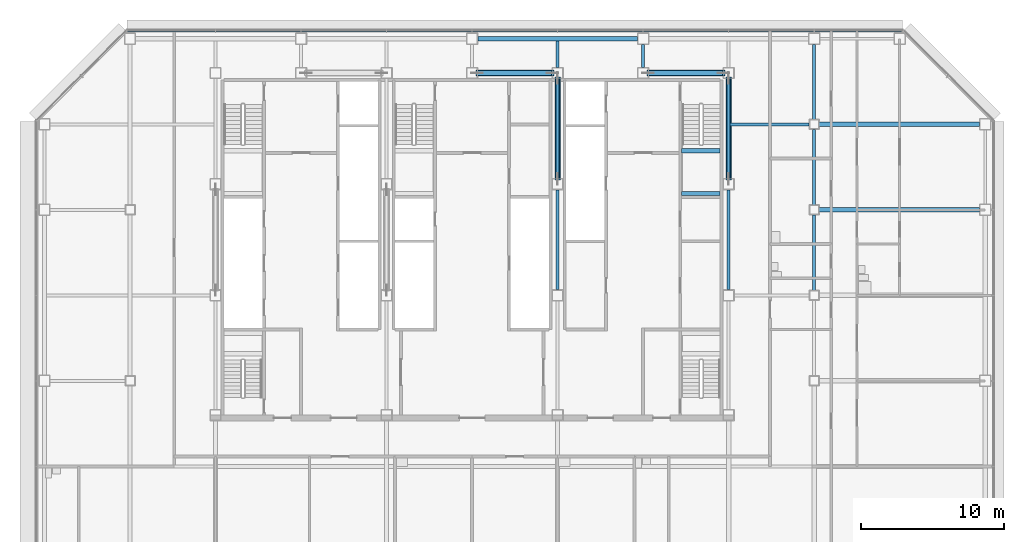
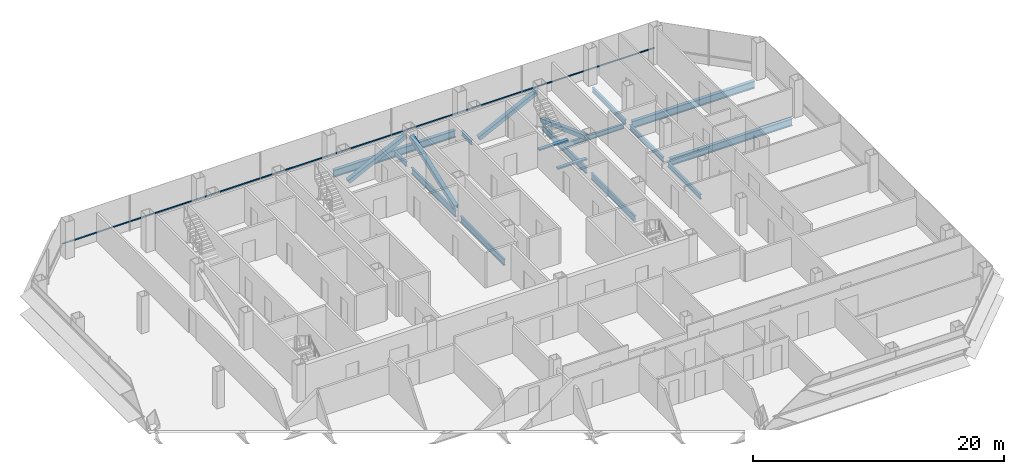
# One storey, part 13 of 25: 15 beams, 5 members, 1 element without a shape of its own.
"""IFC4 building model written with IfcOpenShell, lengths in metres."""

from ifc_helpers import new_model, si_unit, direction, frame, origin, origin_2d, place, context, subcontext, project, spatial, rectangle, hollow_rectangle, i_section, extrude, material, material_profile, profile_set, type_object, element, aggregate, save


model = new_model("IFC4")

# Units and contexts
model_context = context("Model", 3, precision=1e-05, world=origin(), true_north=direction((0.0, 1.0)))
body_context = subcontext(model_context, "Body", "Model", "MODEL_VIEW")
ifc_project = project(units=[si_unit("LENGTHUNIT", "METRE"), si_unit("AREAUNIT", "SQUARE_METRE"), si_unit("VOLUMEUNIT", "CUBIC_METRE"), si_unit("PLANEANGLEUNIT", "RADIAN"), si_unit("MASSUNIT", "GRAM", prefix="KILO")], contexts=[model_context])

# Site, building, storey
site_placement = place(None, origin())
site = spatial("IfcSite", under=ifc_project, at=site_placement, CompositionType="ELEMENT")
building_placement = place(site_placement, origin())
building = spatial("IfcBuilding", under=site, at=building_placement, Name="Sorahane Residences", CompositionType="ELEMENT")
storey_placement = place(building_placement, frame((0.0, 0.0, 126.800048828125)))
storey = spatial("IfcBuildingStorey", under=building, at=storey_placement, Name="L28", CompositionType="ELEMENT", Elevation=126.800048828125)

# Members
ifc_material_1 = material(Name="Steel Q355B", Category="steel")
ifc_material_profile_1 = material_profile(ifc_material_1, hollow_rectangle(XDim=0.39990234375, YDim=0.39990234375, WallThickness=0.02001953125, InnerFilletRadius=0.010009765625, OuterFilletRadius=0.030029296875, at=origin_2d()), Name="RHS 400x400x20")
ifc_profile_set_1 = profile_set([ifc_material_profile_1], Name="Steel Q355B")
member_type_1 = type_object("IfcMemberType", Name="Core brace RHS 400x400x20 Q355B", PredefinedType="BRACE", material=ifc_profile_set_1)
for number, where, z_axis, x_axis, name in (
    (1, (24.346923828125, 45.60009765625, 0.173583984375), (0.896480070819, 0.0, 0.443084058192), (0.0, 1.0, 0.0), "Core brace L28 y45.6-4"),
    (2, (36.346923828125, 45.60009765625, 0.173583984375), (0.896480070819, 0.0, 0.443084058192), (0.0, 1.0, 0.0), "Core brace L28 y45.6-6"),
):
    element("IfcMember", number, at=place(storey_placement, frame(where, z_axis=z_axis, x_axis=x_axis)), inside=storey, type_object=member_type_1, Name=name, PredefinedType="BRACE", context=body_context, shape_type="SweptSolid", body=[
        extrude(hollow_rectangle(XDim=0.39990234375, YDim=0.39990234375, WallThickness=0.02001953125, InnerFilletRadius=0.010009765625, OuterFilletRadius=0.030029296875, at=origin_2d()), origin(), (0.0, 0.0, 1.0), 5.9189453125),
    ])
for number, where, z_axis, x_axis, name in (
    (3, (42.0, 45.241455078125, 0.184814453125), (0.0, -0.938733651637, 0.344643484319), (1.0, 0.0, 0.0), "Core brace L28 x42-3"),
    (4, (30.0, 38.15869140625, 0.184814453125), (0.0, 0.938733651637, 0.344643484319), (-1.0, 0.0, 0.0), "Core brace L28 x30-2"),
):
    element("IfcMember", number, at=place(storey_placement, frame(where, z_axis=z_axis, x_axis=x_axis)), inside=storey, type_object=member_type_1, Name=name, PredefinedType="BRACE", context=body_context, shape_type="SweptSolid", body=[
        extrude(hollow_rectangle(XDim=0.39990234375, YDim=0.39990234375, WallThickness=0.02001953125, InnerFilletRadius=0.010009765625, OuterFilletRadius=0.030029296875, at=origin_2d()), origin(), (0.0, 0.0, 1.0), 7.544921875),
    ])

# Curtain wall, member
ifc_material_2 = material(Name="Dark low-e glass and black anodised aluminium", Category="aluminium")
curtain_wall_type = type_object("IfcCurtainWallType", Name="Curtain wall CW-1 Typical unitised wall", PredefinedType="NOTDEFINED", material=ifc_material_2)
curtain_wall_placement = place(storey_placement, origin())
curtain_wall = element("IfcCurtainWall", 5, at=curtain_wall_placement, inside=storey, type_object=curtain_wall_type, Name="CW-1 curtain wall L28 N1", PredefinedType="NOTDEFINED")
ifc_material_3 = material(Name="Black anodised aluminium", Category="aluminium")
ifc_material_profile_2 = material_profile(ifc_material_3, rectangle(XDim=0.10009765625, YDim=0.06005859375, at=origin_2d()), Name="Curtain wall transom CW-1 black anodised aluminium 60x100")
ifc_profile_set_2 = profile_set([ifc_material_profile_2], Name="Black anodised aluminium")
member_type_2 = type_object("IfcMemberType", Name="Curtain wall transom CW-1 black anodised aluminium 60x100", PredefinedType="USERDEFINED", material=ifc_profile_set_2)
member_placement = place(storey_placement, frame((54.198486328125, 48.530029296875, 0.89990234375), z_axis=(-1.0, 0.0, 0.0), x_axis=(0.0, -1.0, 0.0)))
member = element("IfcMember", 6, at=member_placement, type_object=member_type_2, Name="CW-1 transom L28 N1", ObjectType="TRANSOM", PredefinedType="USERDEFINED", context=body_context, shape_type="SweptSolid", body=[
    extrude(rectangle(XDim=0.10009765625, YDim=0.06005859375, at=origin_2d()), origin(), (0.0, 0.0, 1.0), 54.39697265625),
])
aggregate(curtain_wall, [member])

# Beams
ifc_material_4 = material(Name="Concrete C40", Category="concrete")
ifc_material_profile_3 = material_profile(ifc_material_4, rectangle(XDim=0.300048828125, YDim=0.139892578125, at=origin_2d()), Name="300x140")
ifc_profile_set_3 = profile_set([ifc_material_profile_3], Name="Concrete C40")
beam_type_1 = type_object("IfcBeamType", Name="RC landing beam 300 x 140 Concrete C40", PredefinedType="BEAM", material=ifc_profile_set_3)
for number, where, z_axis, x_axis, name in (
    (7, (38.699951171875, 37.14990234375, 1.530029296875), (1.0, 0.0, 0.0), (0.0, 1.0, 0.0), "Landing beam"),
    (8, (38.699951171875, 40.14990234375, 1.530029296875), (1.0, 0.0, 0.0), (0.0, 1.0, 0.0), "Landing beam"),
):
    element("IfcBeam", number, at=place(storey_placement, frame(where, z_axis=z_axis, x_axis=x_axis)), inside=storey, type_object=beam_type_1, Name=name, PredefinedType="BEAM", context=body_context, shape_type="SweptSolid", body=[
        extrude(rectangle(XDim=0.300048828125, YDim=0.139892578125, at=origin_2d()), origin(), (0.0, 0.0, 1.0), 2.699951171875),
    ])
ifc_material_5 = material(Name="Steel Q355B", Category="steel")
ifc_material_profile_4 = material_profile(ifc_material_5, i_section(OverallWidth=0.199951171875, OverallDepth=0.449951171875, WebThickness=0.009033203125, FlangeThickness=0.013916015625, FilletRadius=0.02001953125, at=origin_2d()), Name="HN 450x200x9x14")
ifc_profile_set_4 = profile_set([ifc_material_profile_4], Name="Steel Q355B")
beam_type_2 = type_object("IfcBeamType", Name="Steel floor beam HN 450x200x9x14 Q355B", PredefinedType="BEAM", material=ifc_profile_set_4)
beam_1_placement = place(storey_placement, frame((30.0, 46.0, -0.405029296875), z_axis=(0.0, 1.0, 0.0), x_axis=(-1.0, 0.0, 0.0)))
element("IfcBeam", 9, at=beam_1_placement, inside=storey, type_object=beam_type_2, Name="Beam L28 049", PredefinedType="BEAM", context=body_context, shape_type="SweptSolid", body=[
    extrude(i_section(OverallWidth=0.199951171875, OverallDepth=0.449951171875, WebThickness=0.009033203125, FlangeThickness=0.013916015625, FilletRadius=0.02001953125, at=origin_2d()), origin(), (0.0, 0.0, 1.0), 1.85009765625),
])
beam_2_placement = place(storey_placement, frame((36.0, 46.0, -0.405029296875), z_axis=(0.0, 1.0, 0.0), x_axis=(-1.0, 0.0, 0.0)))
element("IfcBeam", 10, at=beam_2_placement, inside=storey, type_object=beam_type_2, Name="Beam L28 051", PredefinedType="BEAM", context=body_context, shape_type="SweptSolid", body=[
    extrude(i_section(OverallWidth=0.199951171875, OverallDepth=0.449951171875, WebThickness=0.009033203125, FlangeThickness=0.013916015625, FilletRadius=0.02001953125, at=origin_2d()), origin(), (0.0, 0.0, 1.0), 1.60009765625),
])
for number, where, z_axis, x_axis, name in (
    (11, (48.0, 30.35009765625, -0.405029296875), (0.0, 1.0, 0.0), (-1.0, 0.0, 0.0), "Beam L28 061"),
    (12, (48.0, 36.35009765625, -0.405029296875), (0.0, 1.0, 0.0), (-1.0, 0.0, 0.0), "Beam L28 062"),
):
    element("IfcBeam", number, at=place(storey_placement, frame(where, z_axis=z_axis, x_axis=x_axis)), inside=storey, type_object=beam_type_2, Name=name, PredefinedType="BEAM", context=body_context, shape_type="SweptSolid", body=[
        extrude(i_section(OverallWidth=0.199951171875, OverallDepth=0.449951171875, WebThickness=0.009033203125, FlangeThickness=0.013916015625, FilletRadius=0.02001953125, at=origin_2d()), origin(), (0.0, 0.0, 1.0), 5.2998046875),
    ])
beam_3_placement = place(storey_placement, frame((48.0, 42.35009765625, -0.405029296875), z_axis=(0.0, 1.0, 0.0), x_axis=(-1.0, 0.0, 0.0)))
element("IfcBeam", 13, at=beam_3_placement, inside=storey, type_object=beam_type_2, Name="Beam L28 063", PredefinedType="BEAM", context=body_context, shape_type="SweptSolid", body=[
    extrude(i_section(OverallWidth=0.199951171875, OverallDepth=0.449951171875, WebThickness=0.009033203125, FlangeThickness=0.013916015625, FilletRadius=0.02001953125, at=origin_2d()), origin(), (0.0, 0.0, 1.0), 5.25),
])
beam_4_placement = place(storey_placement, frame((42.10009765625, 42.0, -0.405029296875), z_axis=(1.0, 0.0, 0.0), x_axis=(0.0, 1.0, 0.0)))
element("IfcBeam", 14, at=beam_4_placement, inside=storey, type_object=beam_type_2, Name="Beam L28 091", PredefinedType="BEAM", context=body_context, shape_type="SweptSolid", body=[
    extrude(i_section(OverallWidth=0.199951171875, OverallDepth=0.449951171875, WebThickness=0.009033203125, FlangeThickness=0.013916015625, FilletRadius=0.02001953125, at=origin_2d()), origin(), (0.0, 0.0, 1.0), 5.5498046875),
])
ifc_material_6 = material(Name="Steel Q355B", Category="steel")
ifc_material_profile_5 = material_profile(ifc_material_6, i_section(OverallWidth=0.199951171875, OverallDepth=0.60009765625, WebThickness=0.010986328125, FlangeThickness=0.01708984375, FilletRadius=0.02392578125, at=origin_2d()), Name="HN 600x200x11x17")
ifc_profile_set_5 = profile_set([ifc_material_profile_5], Name="Steel Q355B")
beam_type_3 = type_object("IfcBeamType", Name="Steel floor beam HN 600x200x11x17 Q355B", PredefinedType="BEAM", material=ifc_profile_set_5)
for number, where, z_axis, x_axis, name in (
    (15, (30.0, 30.39990234375, -0.47998046875), (0.0, 1.0, 0.0), (-1.0, 0.0, 0.0), "Beam L28 047"),
    (16, (30.0, 38.199951171875, -0.47998046875), (0.0, 1.0, 0.0), (-1.0, 0.0, 0.0), "Beam L28 048"),
    (17, (42.0, 30.39990234375, -0.47998046875), (0.0, 1.0, 0.0), (-1.0, 0.0, 0.0), "Beam L28 055"),
    (18, (42.0, 38.199951171875, -0.47998046875), (0.0, 1.0, 0.0), (-1.0, 0.0, 0.0), "Beam L28 056"),
):
    element("IfcBeam", number, at=place(storey_placement, frame(where, z_axis=z_axis, x_axis=x_axis)), inside=storey, type_object=beam_type_3, Name=name, PredefinedType="BEAM", context=body_context, shape_type="SweptSolid", body=[
        extrude(i_section(OverallWidth=0.199951171875, OverallDepth=0.60009765625, WebThickness=0.010986328125, FlangeThickness=0.01708984375, FilletRadius=0.02392578125, at=origin_2d()), origin(), (0.0, 0.0, 1.0), 7.0),
    ])
ifc_material_7 = material(Name="Steel Q355B", Category="steel")
ifc_material_profile_6 = material_profile(ifc_material_7, i_section(OverallWidth=0.300048828125, OverallDepth=0.699951171875, WebThickness=0.012939453125, FlangeThickness=0.02392578125, FilletRadius=0.028076171875, at=origin_2d()), Name="HN 700x300x13x24")
ifc_profile_set_6 = profile_set([ifc_material_profile_6], Name="Steel Q355B")
beam_type_4 = type_object("IfcBeamType", Name="Steel floor beam HN 700x300x13x24 Q355B", PredefinedType="BEAM", material=ifc_profile_set_6)
beam_5_placement = place(storey_placement, frame((48.35009765625, 36.0, -0.530029296875), z_axis=(1.0, 0.0, 0.0), x_axis=(0.0, 1.0, 0.0)))
element("IfcBeam", 19, at=beam_5_placement, inside=storey, type_object=beam_type_4, Name="Beam L28 014", PredefinedType="BEAM", context=body_context, shape_type="SweptSolid", body=[
    extrude(i_section(OverallWidth=0.300048828125, OverallDepth=0.699951171875, WebThickness=0.012939453125, FlangeThickness=0.02392578125, FilletRadius=0.028076171875, at=origin_2d()), origin(), (0.0, 0.0, 1.0), 11.25),
])
beam_6_placement = place(storey_placement, frame((24.39990234375, 48.0, -0.530029296875), z_axis=(1.0, 0.0, 0.0), x_axis=(0.0, 1.0, 0.0)))
element("IfcBeam", 20, at=beam_6_placement, inside=storey, type_object=beam_type_4, Name="Beam L28 017", PredefinedType="BEAM", context=body_context, shape_type="SweptSolid", body=[
    extrude(i_section(OverallWidth=0.300048828125, OverallDepth=0.699951171875, WebThickness=0.012939453125, FlangeThickness=0.02392578125, FilletRadius=0.028076171875, at=origin_2d()), origin(), (0.0, 0.0, 1.0), 11.2001953125),
])
beam_7_placement = place(storey_placement, frame((48.35009765625, 42.0, -0.530029296875), z_axis=(1.0, 0.0, 0.0), x_axis=(0.0, 1.0, 0.0)))
element("IfcBeam", 21, at=beam_7_placement, inside=storey, type_object=beam_type_4, Name="Beam L28 092", PredefinedType="BEAM", context=body_context, shape_type="SweptSolid", body=[
    extrude(i_section(OverallWidth=0.300048828125, OverallDepth=0.699951171875, WebThickness=0.012939453125, FlangeThickness=0.02392578125, FilletRadius=0.028076171875, at=origin_2d()), origin(), (0.0, 0.0, 1.0), 11.25),
])

save(model, "model.ifc")
